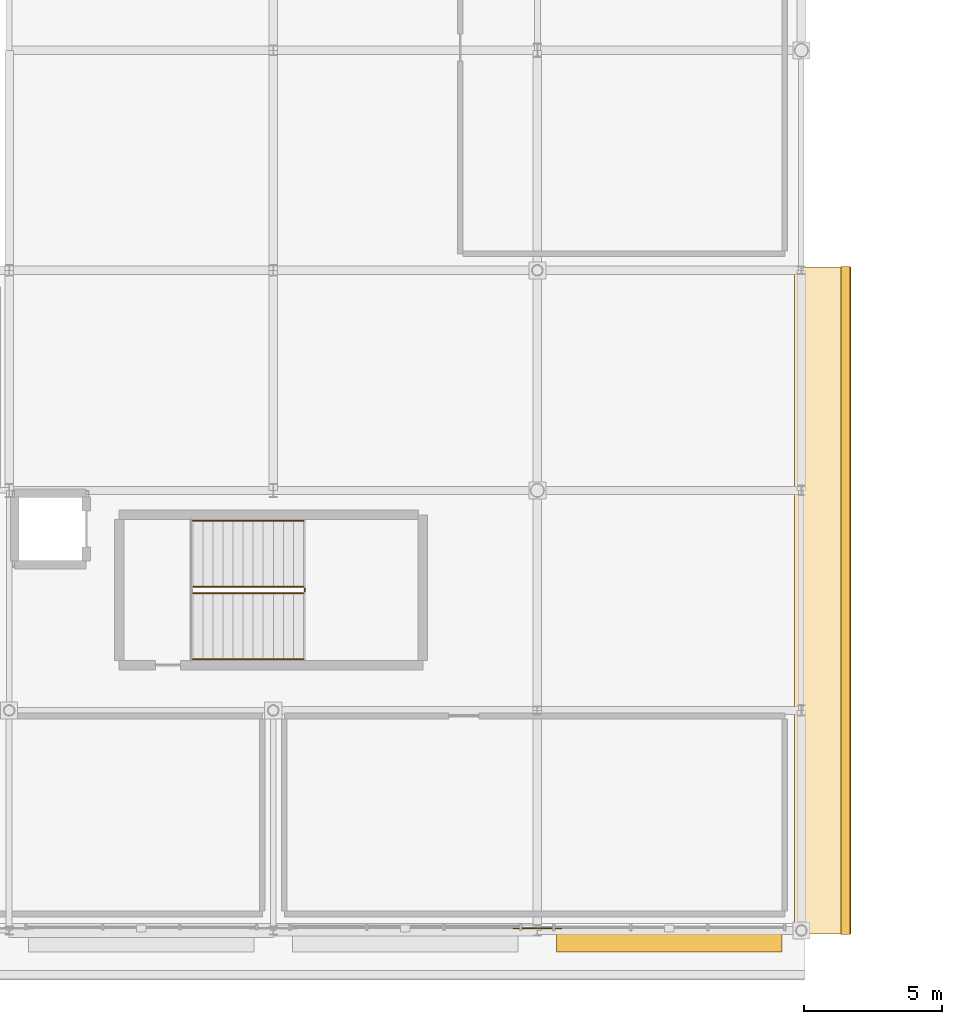
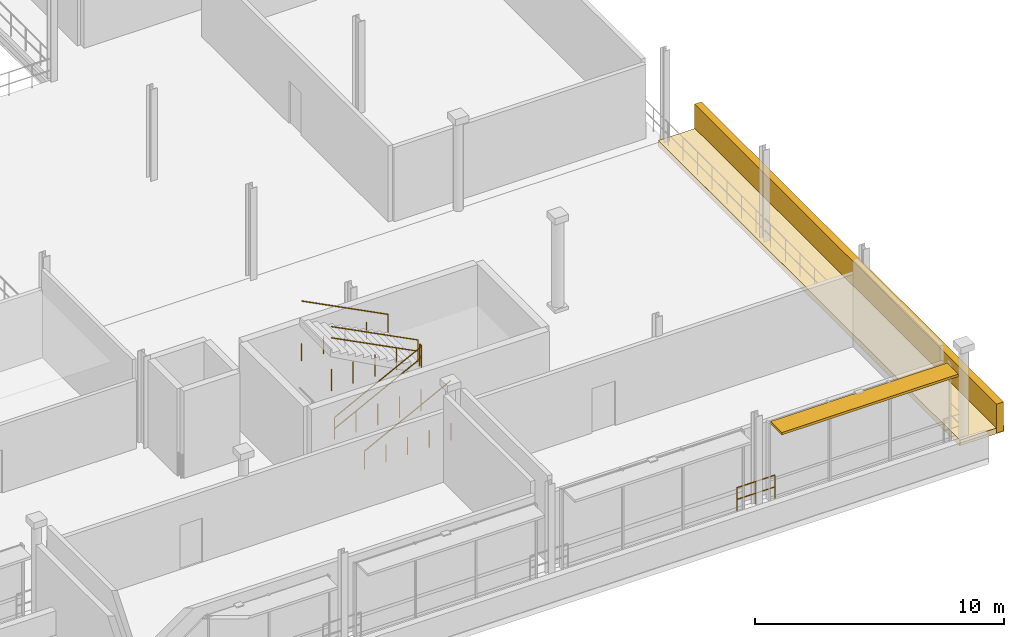
# One storey, part 187 of 193: 6 railings, 2 coverings, 1 shading device.
"""IFC4 building model written with IfcOpenShell, lengths in metres."""

from ifc_helpers import new_model, si_unit, direction, frame, origin, origin_2d, place, context, subcontext, project, spatial, rectangle, circle, extrude, material, layer, layer_set, type_object, element, save


model = new_model("IFC4")

# Units and contexts
model_context = context("Model", 3, precision=1e-05, world=origin(), true_north=direction((0.0, 1.0)))
body_context = subcontext(model_context, "Body", "Model", "MODEL_VIEW")
ifc_project = project(units=[si_unit("LENGTHUNIT", "METRE"), si_unit("AREAUNIT", "SQUARE_METRE"), si_unit("VOLUMEUNIT", "CUBIC_METRE"), si_unit("PLANEANGLEUNIT", "RADIAN"), si_unit("MASSUNIT", "GRAM", prefix="KILO")], contexts=[model_context])

# Site, building, storey
site_placement = place(None, origin())
site = spatial("IfcSite", under=ifc_project, at=site_placement, CompositionType="ELEMENT")
building_placement = place(site_placement, origin())
building = spatial("IfcBuilding", under=site, at=building_placement, Name="Danafjord Basin Convention Centre", CompositionType="ELEMENT")
storey_placement = place(building_placement, frame((0.0, 0.0, 11.39990234375)))
storey = spatial("IfcBuildingStorey", under=building, at=storey_placement, Name="L02", CompositionType="ELEMENT", Elevation=11.39990234375)

# Coverings
ifc_material_1 = material(Name="Architectural white precast concrete C45/55", Category="concrete")
ifc_layer = layer(ifc_material_1, 0.320068359375)
ifc_layer_set = layer_set([ifc_layer], Name="Architectural white precast concrete C45/55")
covering_type = type_object("IfcCoveringType", Name="COV-BAND-HORIZ", PredefinedType="CLADDING", material=ifc_layer_set)
covering_1_placement = place(storey_placement, frame((211.97509765625, 12.0, -0.27978515625), z_axis=(0.0, 0.0, 1.0), x_axis=(0.0, 1.0, 0.0)))
element("IfcCovering", 1, at=covering_1_placement, inside=storey, type_object=covering_type, Name="L02 stepped horizontal band soffit plate 66", PredefinedType="CLADDING", context=body_context, shape_type="SweptSolid", body=[
    extrude(rectangle(XDim=24.239990234375, YDim=2.050048828125, at=origin_2d()), origin(), (0.0, 0.0, 1.0), 0.280029296875),
])
covering_2_placement = place(storey_placement, frame((212.81005859375, 12.0, -0.23974609375), z_axis=(0.0, 0.0, 1.0), x_axis=(0.0, 1.0, 0.0)))
element("IfcCovering", 2, at=covering_2_placement, inside=storey, type_object=covering_type, Name="L02 layered horizontal white spandrel band 66", PredefinedType="CLADDING", context=body_context, shape_type="SweptSolid", body=[
    extrude(rectangle(XDim=24.280029296875, YDim=0.320068359375, at=origin_2d()), origin(), (0.0, 0.0, 1.0), 1.419921875),
])

# Railings
ifc_material_2 = material(Name="Laminated structural glass and stainless steel", Category="steel")
railing_type_1 = type_object("IfcRailingType", Name="RL-BAL-GLS", PredefinedType="BALUSTRADE", material=ifc_material_2)
railing_1_placement = place(storey_placement, frame((202.47998046875, 0.080078125, 0.0)))
element("IfcRailing", 3, at=railing_1_placement, inside=storey, type_object=railing_type_1, Name="L02 safety guard balustrade 136", PredefinedType="BALUSTRADE", context=body_context, shape_type="SweptSolid", body=[
    extrude(circle(Radius=0.02392578125, at=origin_2d()), frame((0.0, 0.0, 1.1259765625), z_axis=(-1.0, 0.0, 0.0), x_axis=(0.0, -1.0, 0.0)), (0.0, 0.0, 1.0), 1.760009765625),
    extrude(circle(Radius=0.02392578125, at=origin_2d()), frame((0.0, 0.0, 0.55078125), z_axis=(-1.0, 0.0, 0.0), x_axis=(0.0, -1.0, 0.0)), (0.0, 0.0, 1.0), 1.760009765625),
    extrude(circle(Radius=0.02099609375, at=origin_2d()), origin(), (0.0, 0.0, 1.0), 1.099853515625),
    extrude(circle(Radius=0.02099609375, at=origin_2d()), frame((-0.8798828125, 0.0, 0.0)), (0.0, 0.0, 1.0), 1.099853515625),
    extrude(circle(Radius=0.02099609375, at=origin_2d()), frame((-1.760009765625, 0.0, 0.0)), (0.0, 0.0, 1.0), 1.099853515625),
])
ifc_material_3 = material(Name="Galvanised steel S355", Category="steel")
railing_type_2 = type_object("IfcRailingType", Name="RL-GD-WELL", PredefinedType="BALUSTRADE", material=ifc_material_3)
railing_2_placement = place(storey_placement, frame((189.080078125, 12.260009765625, 0.1875)))
element("IfcRailing", 4, at=railing_2_placement, inside=storey, type_object=railing_type_2, Name="L02 ST-15 stair guard 1", PredefinedType="BALUSTRADE", context=body_context, shape_type="SweptSolid", body=[
    extrude(circle(Radius=0.02392578125, at=origin_2d()), frame((0.0, 0.0, 1.076171875), z_axis=(0.889495128042, 0.0, 0.456944654405), x_axis=(0.0, 1.0, 0.0)), (0.0, 0.0, 1.0), 4.513671875),
    extrude(circle(Radius=0.02392578125, at=origin_2d()), frame((0.0, 0.0, 0.52587890625), z_axis=(0.889495128042, 0.0, 0.456944654405), x_axis=(0.0, 1.0, 0.0)), (0.0, 0.0, 1.0), 4.513671875),
    extrude(circle(Radius=0.02099609375, at=origin_2d()), origin(), (0.0, 0.0, 1.0), 1.050048828125),
    extrude(circle(Radius=0.02099609375, at=origin_2d()), frame((1.003662109375, 0.0, 0.0)), (0.0, 0.0, 1.0), 1.050048828125),
    extrude(circle(Radius=0.02099609375, at=origin_2d()), frame((2.00732421875, 0.0, 0.0)), (0.0, 0.0, 1.0), 1.050048828125),
    extrude(circle(Radius=0.02099609375, at=origin_2d()), frame((3.01123046875, 0.0, 0.0)), (0.0, 0.0, 1.0), 1.050048828125),
    extrude(circle(Radius=0.02099609375, at=origin_2d()), frame((4.014892578125, 0.0, 0.0)), (0.0, 0.0, 1.0), 1.050048828125),
])
railing_3_placement = place(storey_placement, frame((193.14501953125, 12.31005859375, 2.25)))
element("IfcRailing", 5, at=railing_3_placement, inside=storey, type_object=railing_type_2, Name="L02 ST-15 stair guard 2", PredefinedType="BALUSTRADE", context=body_context, shape_type="SweptSolid", body=[
    extrude(circle(Radius=0.02392578125, at=origin_2d()), frame((0.0, 0.0, 1.076171875), z_axis=(0.0, 1.0, 0.0), x_axis=(-1.0, 0.0, 0.0)), (0.0, 0.0, 1.0), 0.139892578125),
    extrude(circle(Radius=0.02392578125, at=origin_2d()), frame((0.0, 0.0, 0.52587890625), z_axis=(0.0, 1.0, 0.0), x_axis=(-1.0, 0.0, 0.0)), (0.0, 0.0, 1.0), 0.139892578125),
    extrude(circle(Radius=0.02099609375, at=origin_2d()), origin(), (0.0, 0.0, 1.0), 1.050048828125),
    extrude(circle(Radius=0.02099609375, at=origin_2d()), frame((0.0, 0.139892578125, 0.0)), (0.0, 0.0, 1.0), 1.050048828125),
])
railing_4_placement = place(storey_placement, frame((193.094970703125, 12.5, 2.4375)))
element("IfcRailing", 6, at=railing_4_placement, inside=storey, type_object=railing_type_2, Name="L02 ST-15 stair guard 3", PredefinedType="BALUSTRADE", context=body_context, shape_type="SweptSolid", body=[
    extrude(circle(Radius=0.02392578125, at=origin_2d()), frame((0.0, 0.0, 1.076171875), z_axis=(-0.889495128042, 0.0, 0.456944654405), x_axis=(0.0, -1.0, 0.0)), (0.0, 0.0, 1.0), 4.513671875),
    extrude(circle(Radius=0.02392578125, at=origin_2d()), frame((0.0, 0.0, 0.52587890625), z_axis=(-0.889495128042, 0.0, 0.456944654405), x_axis=(0.0, -1.0, 0.0)), (0.0, 0.0, 1.0), 4.513671875),
    extrude(circle(Radius=0.02099609375, at=origin_2d()), origin(), (0.0, 0.0, 1.0), 1.050048828125),
    extrude(circle(Radius=0.02099609375, at=origin_2d()), frame((-1.003662109375, 0.0, 0.0)), (0.0, 0.0, 1.0), 1.050048828125),
    extrude(circle(Radius=0.02099609375, at=origin_2d()), frame((-2.00732421875, 0.0, 0.0)), (0.0, 0.0, 1.0), 1.050048828125),
    extrude(circle(Radius=0.02099609375, at=origin_2d()), frame((-3.01123046875, 0.0, 0.0)), (0.0, 0.0, 1.0), 1.050048828125),
    extrude(circle(Radius=0.02099609375, at=origin_2d()), frame((-4.014892578125, 0.0, 0.0)), (0.0, 0.0, 1.0), 1.050048828125),
])
ifc_material_4 = material(Name="Brushed stainless steel EN 1.4404", Category="steel")
railing_type_3 = type_object("IfcRailingType", Name="RL-HR-STAIR", PredefinedType="HANDRAIL", material=ifc_material_4)
railing_5_placement = place(storey_placement, frame((189.080078125, 9.860107421875, 0.1875)))
element("IfcRailing", 7, at=railing_5_placement, inside=storey, type_object=railing_type_3, Name="L02 ST-15 stair handrail 1", PredefinedType="HANDRAIL", context=body_context, shape_type="SweptSolid", body=[
    extrude(circle(Radius=0.02392578125, at=origin_2d()), frame((0.0, 0.0, 0.8759765625), z_axis=(0.889495128042, 0.0, 0.456944654405), x_axis=(0.0, 1.0, 0.0)), (0.0, 0.0, 1.0), 4.513671875),
    extrude(circle(Radius=0.02099609375, at=origin_2d()), origin(), (0.0, 0.0, 1.0), 0.849853515625),
    extrude(circle(Radius=0.02099609375, at=origin_2d()), frame((1.003662109375, 0.0, 0.0)), (0.0, 0.0, 1.0), 0.849853515625),
    extrude(circle(Radius=0.02099609375, at=origin_2d()), frame((2.00732421875, 0.0, 0.0)), (0.0, 0.0, 1.0), 0.849853515625),
    extrude(circle(Radius=0.02099609375, at=origin_2d()), frame((3.01123046875, 0.0, 0.0)), (0.0, 0.0, 1.0), 0.849853515625),
    extrude(circle(Radius=0.02099609375, at=origin_2d()), frame((4.014892578125, 0.0, 0.0)), (0.0, 0.0, 1.0), 0.849853515625),
])
railing_6_placement = place(storey_placement, frame((193.094970703125, 14.89990234375, 2.4375)))
element("IfcRailing", 8, at=railing_6_placement, inside=storey, type_object=railing_type_3, Name="L02 ST-15 stair handrail 2", PredefinedType="HANDRAIL", context=body_context, shape_type="SweptSolid", body=[
    extrude(circle(Radius=0.02392578125, at=origin_2d()), frame((0.0, 0.0, 0.8759765625), z_axis=(-0.889495128042, 0.0, 0.456944654405), x_axis=(0.0, -1.0, 0.0)), (0.0, 0.0, 1.0), 4.513671875),
    extrude(circle(Radius=0.02099609375, at=origin_2d()), origin(), (0.0, 0.0, 1.0), 0.849853515625),
    extrude(circle(Radius=0.02099609375, at=origin_2d()), frame((-1.003662109375, 0.0, 0.0)), (0.0, 0.0, 1.0), 0.849853515625),
    extrude(circle(Radius=0.02099609375, at=origin_2d()), frame((-2.00732421875, 0.0, 0.0)), (0.0, 0.0, 1.0), 0.849853515625),
    extrude(circle(Radius=0.02099609375, at=origin_2d()), frame((-3.01123046875, 0.0, 0.0)), (0.0, 0.0, 1.0), 0.849853515625),
    extrude(circle(Radius=0.02099609375, at=origin_2d()), frame((-4.014892578125, 0.0, 0.0)), (0.0, 0.0, 1.0), 0.849853515625),
])

# Shading device
ifc_material_5 = material(Name="Anodised aluminium aerofoil sunshade", Category="aluminium")
shading_device_type = type_object("IfcShadingDeviceType", Name="SHD-SUN-A", PredefinedType="USERDEFINED", material=ifc_material_5)
shading_device_placement = place(storey_placement, frame((206.39990234375, -0.340087890625, 3.68603515625), z_axis=(0.0, 0.0, 1.0), x_axis=(1.0, 0.0, 0.0)))
element("IfcShadingDevice", 9, at=shading_device_placement, inside=storey, type_object=shading_device_type, Name="L02 cantilevered harbour sunshade 20", ObjectType="SUNSHADE", PredefinedType="USERDEFINED", context=body_context, shape_type="SweptSolid", body=[
    extrude(rectangle(XDim=8.199951171875, YDim=0.89990234375, at=origin_2d()), origin(), (0.0, 0.0, 1.0), 0.1201171875),
])

save(model, "model.ifc")
